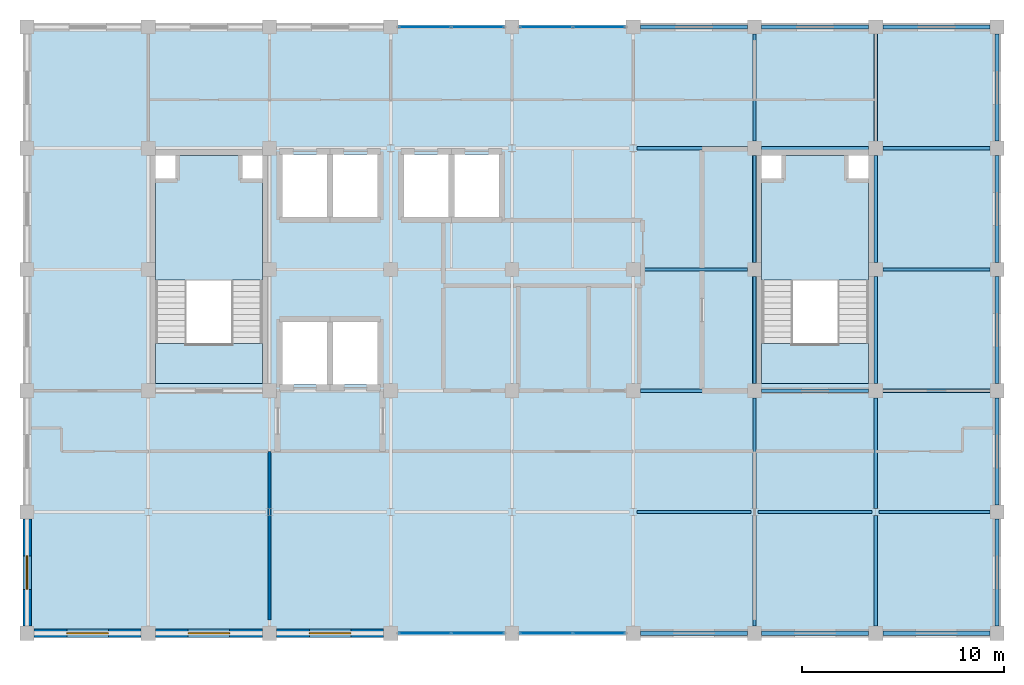
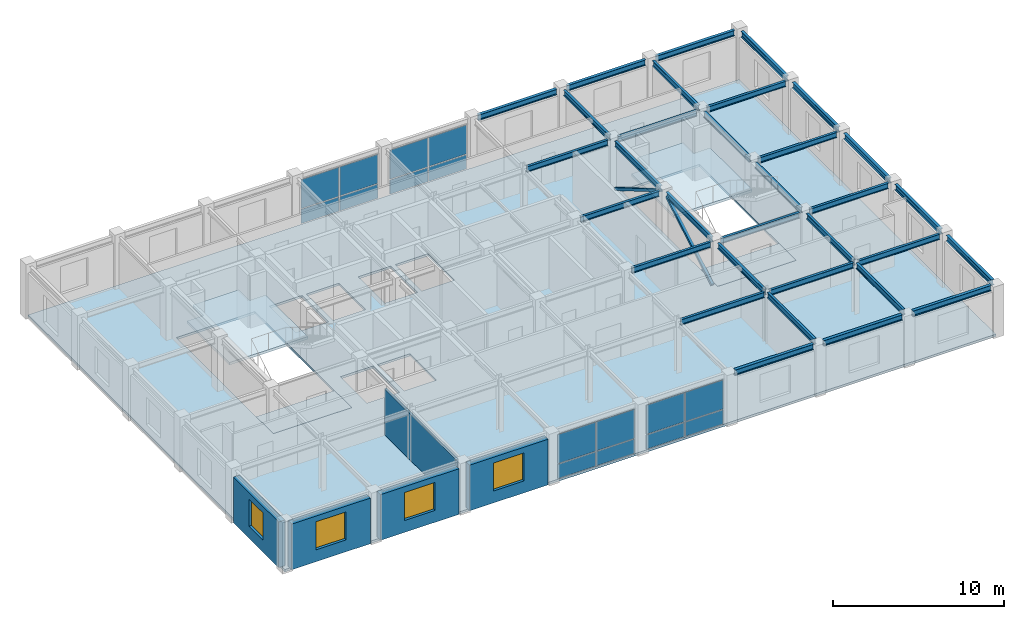
# One storey, part 8 of 13: 32 beams, 16 plates, 5 slabs, 5 walls, 4 windows, 2 members, 4 openings, 6 elements without a shape of their own.
"""IFC4 building model written with IfcOpenShell, lengths in metres."""

from ifc_helpers import new_model, si_unit, direction, frame, frame_2d, origin, origin_2d, place, context, subcontext, project, spatial, polyline, rectangle, hollow_rectangle, i_section, outline, extrude, material, layer, layer_set, material_profile, profile_set, type_object, element, fill, aggregate, save


model = new_model("IFC4")

# Units and contexts
model_context = context("Model", 3, precision=1e-05, world=origin(), true_north=direction((0.0, 1.0)))
body_context = subcontext(model_context, "Body", "Model", "MODEL_VIEW")
ifc_project = project(units=[si_unit("LENGTHUNIT", "METRE"), si_unit("AREAUNIT", "SQUARE_METRE"), si_unit("VOLUMEUNIT", "CUBIC_METRE"), si_unit("PLANEANGLEUNIT", "RADIAN"), si_unit("MASSUNIT", "GRAM", prefix="KILO")], contexts=[model_context])

# Site, building, storey
site_placement = place(None, origin())
site = spatial("IfcSite", under=ifc_project, at=site_placement, CompositionType="ELEMENT")
building_placement = place(site_placement, origin())
building = spatial("IfcBuilding", under=site, at=building_placement, Name="Zlatovratsky Civic Hall", CompositionType="ELEMENT")
storey_placement = place(building_placement, frame((0.0, 0.0, 48.300048828125)))
storey = spatial("IfcBuildingStorey", under=building, at=storey_placement, Name="L12", CompositionType="ELEMENT", Elevation=48.300048828125)

# Beams
ifc_material_1 = material(Name="Steel S355", Category="steel")
ifc_material_profile_1 = material_profile(ifc_material_1, i_section(OverallWidth=0.199951171875, OverallDepth=0.39990234375, WebThickness=0.008056640625, FlangeThickness=0.012939453125, FilletRadius=0.014892578125, at=origin_2d()), Name="40B2")
ifc_profile_set_1 = profile_set([ifc_material_profile_1], Name="Steel S355")
beam_type_1 = type_object("IfcBeamType", Name="Beam_Spandrel_40B2", PredefinedType="SPANDREL", material=ifc_profile_set_1)
for number, where, z_axis, x_axis, name in (
    (1, (90.35009765625, 72.0, 3.47998046875), (1.0, 0.0, 0.0), (0.0, 1.0, 0.0), "BM-4801"),
    (2, (96.35009765625, 72.0, 3.47998046875), (1.0, 0.0, 0.0), (0.0, 1.0, 0.0), "BM-4802"),
    (3, (102.35009765625, 72.0, 3.47998046875), (1.0, 0.0, 0.0), (0.0, 1.0, 0.0), "BM-4803"),
    (4, (90.35009765625, 102.0, 3.47998046875), (1.0, 0.0, 0.0), (0.0, 1.0, 0.0), "BM-4839"),
    (5, (96.35009765625, 102.0, 3.47998046875), (1.0, 0.0, 0.0), (0.0, 1.0, 0.0), "BM-4840"),
    (6, (102.35009765625, 102.0, 3.47998046875), (1.0, 0.0, 0.0), (0.0, 1.0, 0.0), "BM-4841"),
    (7, (108.0, 72.35009765625, 3.47998046875), (0.0, 1.0, 0.0), (-1.0, 0.0, 0.0), "BM-4882"),
    (8, (108.0, 78.35009765625, 3.47998046875), (0.0, 1.0, 0.0), (-1.0, 0.0, 0.0), "BM-4883"),
    (9, (108.0, 84.35009765625, 3.47998046875), (0.0, 1.0, 0.0), (-1.0, 0.0, 0.0), "BM-4884"),
    (10, (108.0, 90.35009765625, 3.47998046875), (0.0, 1.0, 0.0), (-1.0, 0.0, 0.0), "BM-4885"),
    (11, (108.0, 96.35009765625, 3.47998046875), (0.0, 1.0, 0.0), (-1.0, 0.0, 0.0), "BM-4886"),
):
    element("IfcBeam", number, at=place(storey_placement, frame(where, z_axis=z_axis, x_axis=x_axis)), inside=storey, type_object=beam_type_1, Name=name, PredefinedType="SPANDREL", context=body_context, shape_type="SweptSolid", body=[
        extrude(i_section(OverallWidth=0.199951171875, OverallDepth=0.39990234375, WebThickness=0.008056640625, FlangeThickness=0.012939453125, FilletRadius=0.014892578125, at=origin_2d()), origin(), (0.0, 0.0, 1.0), 5.2998046875),
    ])
ifc_material_profile_2 = material_profile(ifc_material_1, i_section(OverallWidth=0.1650390625, OverallDepth=0.39208984375, WebThickness=0.006591796875, FlangeThickness=0.009521484375, FilletRadius=0.014892578125, at=origin_2d()), Name="40B1")
ifc_profile_set_2 = profile_set([ifc_material_profile_2], Name="Steel S355")
beam_type_2 = type_object("IfcBeamType", Name="Beam_Tie_40B1", PredefinedType="BEAM", material=ifc_profile_set_2)
for number, where, z_axis, x_axis, name in (
    (12, (90.175048828125, 78.0, 3.48388671875), (1.0, 0.0, 0.0), (0.0, 1.0, 0.0), "BM-4809"),
    (13, (96.175048828125, 78.0, 3.48388671875), (1.0, 0.0, 0.0), (0.0, 1.0, 0.0), "BM-4810"),
):
    element("IfcBeam", number, at=place(storey_placement, frame(where, z_axis=z_axis, x_axis=x_axis)), inside=storey, type_object=beam_type_2, Name=name, PredefinedType="BEAM", context=body_context, shape_type="SweptSolid", body=[
        extrude(i_section(OverallWidth=0.1650390625, OverallDepth=0.39208984375, WebThickness=0.006591796875, FlangeThickness=0.009521484375, FilletRadius=0.014892578125, at=origin_2d()), origin(), (0.0, 0.0, 1.0), 5.64990234375),
    ])
beam_1_placement = place(storey_placement, frame((102.175048828125, 78.0, 3.48388671875), z_axis=(1.0, 0.0, 0.0), x_axis=(0.0, 1.0, 0.0)))
element("IfcBeam", 14, at=beam_1_placement, inside=storey, type_object=beam_type_2, Name="BM-4811", PredefinedType="BEAM", context=body_context, shape_type="SweptSolid", body=[
    extrude(i_section(OverallWidth=0.1650390625, OverallDepth=0.39208984375, WebThickness=0.006591796875, FlangeThickness=0.009521484375, FilletRadius=0.014892578125, at=origin_2d()), origin(), (0.0, 0.0, 1.0), 5.474853515625),
])
for number, where, z_axis, x_axis, name in (
    (15, (90.35009765625, 84.0, 3.48388671875), (1.0, 0.0, 0.0), (0.0, 1.0, 0.0), "BM-4817"),
    (16, (96.35009765625, 84.0, 3.48388671875), (1.0, 0.0, 0.0), (0.0, 1.0, 0.0), "BM-4818"),
    (17, (102.35009765625, 84.0, 3.48388671875), (1.0, 0.0, 0.0), (0.0, 1.0, 0.0), "BM-4819"),
    (18, (90.35009765625, 90.0, 3.48388671875), (1.0, 0.0, 0.0), (0.0, 1.0, 0.0), "BM-4824"),
    (19, (102.35009765625, 90.0, 3.48388671875), (1.0, 0.0, 0.0), (0.0, 1.0, 0.0), "BM-4825"),
):
    element("IfcBeam", number, at=place(storey_placement, frame(where, z_axis=z_axis, x_axis=x_axis)), inside=storey, type_object=beam_type_2, Name=name, PredefinedType="BEAM", context=body_context, shape_type="SweptSolid", body=[
        extrude(i_section(OverallWidth=0.1650390625, OverallDepth=0.39208984375, WebThickness=0.006591796875, FlangeThickness=0.009521484375, FilletRadius=0.014892578125, at=origin_2d()), origin(), (0.0, 0.0, 1.0), 5.2998046875),
    ])
beam_2_placement = place(storey_placement, frame((90.175048828125, 96.0, 3.48388671875), z_axis=(1.0, 0.0, 0.0), x_axis=(0.0, 1.0, 0.0)))
element("IfcBeam", 20, at=beam_2_placement, inside=storey, type_object=beam_type_2, Name="BM-4831", PredefinedType="BEAM", context=body_context, shape_type="SweptSolid", body=[
    extrude(i_section(OverallWidth=0.1650390625, OverallDepth=0.39208984375, WebThickness=0.006591796875, FlangeThickness=0.009521484375, FilletRadius=0.014892578125, at=origin_2d()), origin(), (0.0, 0.0, 1.0), 5.474853515625),
])
for number, where, z_axis, x_axis, name in (
    (21, (96.35009765625, 96.0, 3.48388671875), (1.0, 0.0, 0.0), (0.0, 1.0, 0.0), "BM-4832"),
    (22, (102.35009765625, 96.0, 3.48388671875), (1.0, 0.0, 0.0), (0.0, 1.0, 0.0), "BM-4833"),
):
    element("IfcBeam", number, at=place(storey_placement, frame(where, z_axis=z_axis, x_axis=x_axis)), inside=storey, type_object=beam_type_2, Name=name, PredefinedType="BEAM", context=body_context, shape_type="SweptSolid", body=[
        extrude(i_section(OverallWidth=0.1650390625, OverallDepth=0.39208984375, WebThickness=0.006591796875, FlangeThickness=0.009521484375, FilletRadius=0.014892578125, at=origin_2d()), origin(), (0.0, 0.0, 1.0), 5.2998046875),
    ])
for number, where, z_axis, x_axis, name in (
    (23, (96.0, 72.35009765625, 3.48388671875), (0.0, 1.0, 0.0), (-1.0, 0.0, 0.0), "BM-4872"),
    (24, (96.0, 78.17138671875, 3.48388671875), (0.0, 1.0, 0.0), (-1.0, 0.0, 0.0), "BM-4873"),
):
    element("IfcBeam", number, at=place(storey_placement, frame(where, z_axis=z_axis, x_axis=x_axis)), inside=storey, type_object=beam_type_2, Name=name, PredefinedType="BEAM", context=body_context, shape_type="SweptSolid", body=[
        extrude(i_section(OverallWidth=0.1650390625, OverallDepth=0.39208984375, WebThickness=0.006591796875, FlangeThickness=0.009521484375, FilletRadius=0.014892578125, at=origin_2d()), origin(), (0.0, 0.0, 1.0), 5.478515625),
    ])
for number, where, z_axis, x_axis, name in (
    (25, (96.0, 84.35009765625, 3.48388671875), (0.0, 1.0, 0.0), (-1.0, 0.0, 0.0), "BM-4874"),
    (26, (96.0, 90.35009765625, 3.48388671875), (0.0, 1.0, 0.0), (-1.0, 0.0, 0.0), "BM-4875"),
    (27, (96.0, 96.35009765625, 3.48388671875), (0.0, 1.0, 0.0), (-1.0, 0.0, 0.0), "BM-4876"),
):
    element("IfcBeam", number, at=place(storey_placement, frame(where, z_axis=z_axis, x_axis=x_axis)), inside=storey, type_object=beam_type_2, Name=name, PredefinedType="BEAM", context=body_context, shape_type="SweptSolid", body=[
        extrude(i_section(OverallWidth=0.1650390625, OverallDepth=0.39208984375, WebThickness=0.006591796875, FlangeThickness=0.009521484375, FilletRadius=0.014892578125, at=origin_2d()), origin(), (0.0, 0.0, 1.0), 5.2998046875),
    ])
for number, where, z_axis, x_axis, name in (
    (28, (102.0, 72.35009765625, 3.48388671875), (0.0, 1.0, 0.0), (-1.0, 0.0, 0.0), "BM-4877"),
    (29, (102.0, 78.17138671875, 3.48388671875), (0.0, 1.0, 0.0), (-1.0, 0.0, 0.0), "BM-4878"),
):
    element("IfcBeam", number, at=place(storey_placement, frame(where, z_axis=z_axis, x_axis=x_axis)), inside=storey, type_object=beam_type_2, Name=name, PredefinedType="BEAM", context=body_context, shape_type="SweptSolid", body=[
        extrude(i_section(OverallWidth=0.1650390625, OverallDepth=0.39208984375, WebThickness=0.006591796875, FlangeThickness=0.009521484375, FilletRadius=0.014892578125, at=origin_2d()), origin(), (0.0, 0.0, 1.0), 5.478515625),
    ])
for number, where, z_axis, x_axis, name in (
    (30, (102.0, 84.35009765625, 3.48388671875), (0.0, 1.0, 0.0), (-1.0, 0.0, 0.0), "BM-4879"),
    (31, (102.0, 90.35009765625, 3.48388671875), (0.0, 1.0, 0.0), (-1.0, 0.0, 0.0), "BM-4880"),
    (32, (102.0, 96.35009765625, 3.48388671875), (0.0, 1.0, 0.0), (-1.0, 0.0, 0.0), "BM-4881"),
):
    element("IfcBeam", number, at=place(storey_placement, frame(where, z_axis=z_axis, x_axis=x_axis)), inside=storey, type_object=beam_type_2, Name=name, PredefinedType="BEAM", context=body_context, shape_type="SweptSolid", body=[
        extrude(i_section(OverallWidth=0.1650390625, OverallDepth=0.39208984375, WebThickness=0.006591796875, FlangeThickness=0.009521484375, FilletRadius=0.014892578125, at=origin_2d()), origin(), (0.0, 0.0, 1.0), 5.2998046875),
    ])

# Members
ifc_material_profile_3 = material_profile(ifc_material_1, hollow_rectangle(XDim=0.179931640625, YDim=0.179931640625, WallThickness=0.008056640625, at=origin_2d()), Name="SHS 180x180x8")
ifc_profile_set_3 = profile_set([ifc_material_profile_3], Name="Steel S355")
member_type = type_object("IfcMemberType", Name="Brace_TowerMid_SHS180", PredefinedType="BRACE", material=ifc_profile_set_3)
for number, where, z_axis, x_axis, name in (
    (33, (96.0, 84.35009765625, 0.25), (0.0, 0.863189891905, 0.504879401949), (-1.0, 0.0, 0.0), "MB-0154"),
    (34, (96.0, 90.35009765625, 3.349853515625), (0.0, 0.863189891905, -0.504879401949), (-1.0, 0.0, 0.0), "MB-0155"),
):
    element("IfcMember", number, at=place(storey_placement, frame(where, z_axis=z_axis, x_axis=x_axis)), inside=storey, type_object=member_type, Name=name, PredefinedType="BRACE", context=body_context, shape_type="SweptSolid", body=[
        extrude(hollow_rectangle(XDim=0.179931640625, YDim=0.179931640625, WallThickness=0.008056640625, at=origin_2d()), origin(), (0.0, 0.0, 1.0), 6.139892578125),
    ])

# Curtain wall, plates
ifc_material_2 = material(Name="Anodised bronze aluminium", Category="aluminium")
ifc_layer_1 = layer(ifc_material_2, 0.159912109375)
ifc_layer_set_1 = layer_set([ifc_layer_1], Name="Anodised bronze aluminium")
curtain_wall_type = type_object("IfcCurtainWallType", Name="CurtainWall_Bronze_5300x3260_23", PredefinedType="NOTDEFINED", material=ifc_layer_set_1)
curtain_wall_1_placement = place(storey_placement, origin())
curtain_wall_1 = element("IfcCurtainWall", 35, at=curtain_wall_1_placement, inside=storey, type_object=curtain_wall_type, Name="CW-157", PredefinedType="NOTDEFINED")
ifc_material_3 = material(Name="Solar-control triple glazing", Category="glass")
ifc_layer_2 = layer(ifc_material_3, 0.028076171875)
ifc_layer_set_2 = layer_set([ifc_layer_2], Name="Solar-control triple glazing")
plate_type = type_object("IfcPlateType", Name="Panel_TowerTripleGlazing_28", PredefinedType="CURTAIN_PANEL", material=ifc_layer_set_2)
plate_1_placement = place(storey_placement, frame((79.68994140625, 72.0, 0.06005859375), z_axis=(0.0, 0.0, 1.0), x_axis=(1.0, 0.0, 0.0)))
plate_1 = element("IfcPlate", 36, at=plate_1_placement, type_object=plate_type, Name="CW-23 panel 1.1", PredefinedType="CURTAIN_PANEL", context=body_context, shape_type="SweptSolid", body=[
    extrude(rectangle(XDim=2.56005859375, YDim=0.028076171875, at=origin_2d()), origin(), (0.0, 0.0, 1.0), 1.010009765625),
])
plate_2_placement = place(storey_placement, frame((79.68994140625, 72.0, 1.1298828125), z_axis=(0.0, 0.0, 1.0), x_axis=(1.0, 0.0, 0.0)))
plate_2 = element("IfcPlate", 37, at=plate_2_placement, type_object=plate_type, Name="CW-23 panel 1.2", PredefinedType="CURTAIN_PANEL", context=body_context, shape_type="SweptSolid", body=[
    extrude(rectangle(XDim=2.56005859375, YDim=0.028076171875, at=origin_2d()), origin(), (0.0, 0.0, 1.0), 2.070068359375),
])
plate_3_placement = place(storey_placement, frame((82.31005859375, 72.0, 0.06005859375), z_axis=(0.0, 0.0, 1.0), x_axis=(1.0, 0.0, 0.0)))
plate_3 = element("IfcPlate", 38, at=plate_3_placement, type_object=plate_type, Name="CW-23 panel 2.1", PredefinedType="CURTAIN_PANEL", context=body_context, shape_type="SweptSolid", body=[
    extrude(rectangle(XDim=2.56005859375, YDim=0.028076171875, at=origin_2d()), origin(), (0.0, 0.0, 1.0), 1.010009765625),
])
plate_4_placement = place(storey_placement, frame((82.31005859375, 72.0, 1.1298828125), z_axis=(0.0, 0.0, 1.0), x_axis=(1.0, 0.0, 0.0)))
plate_4 = element("IfcPlate", 39, at=plate_4_placement, type_object=plate_type, Name="CW-23 panel 2.2", PredefinedType="CURTAIN_PANEL", context=body_context, shape_type="SweptSolid", body=[
    extrude(rectangle(XDim=2.56005859375, YDim=0.028076171875, at=origin_2d()), origin(), (0.0, 0.0, 1.0), 2.070068359375),
])
aggregate(curtain_wall_1, [plate_1, plate_2, plate_3, plate_4])

curtain_wall_2_placement = place(storey_placement, origin())
curtain_wall_2 = element("IfcCurtainWall", 40, at=curtain_wall_2_placement, inside=storey, type_object=curtain_wall_type, Name="CW-158", PredefinedType="NOTDEFINED")
plate_5_placement = place(storey_placement, frame((85.68994140625, 72.0, 0.06005859375), z_axis=(0.0, 0.0, 1.0), x_axis=(1.0, 0.0, 0.0)))
plate_5 = element("IfcPlate", 41, at=plate_5_placement, type_object=plate_type, Name="CW-23 panel 1.1", PredefinedType="CURTAIN_PANEL", context=body_context, shape_type="SweptSolid", body=[
    extrude(rectangle(XDim=2.56005859375, YDim=0.028076171875, at=origin_2d()), origin(), (0.0, 0.0, 1.0), 1.010009765625),
])
plate_6_placement = place(storey_placement, frame((85.68994140625, 72.0, 1.1298828125), z_axis=(0.0, 0.0, 1.0), x_axis=(1.0, 0.0, 0.0)))
plate_6 = element("IfcPlate", 42, at=plate_6_placement, type_object=plate_type, Name="CW-23 panel 1.2", PredefinedType="CURTAIN_PANEL", context=body_context, shape_type="SweptSolid", body=[
    extrude(rectangle(XDim=2.56005859375, YDim=0.028076171875, at=origin_2d()), origin(), (0.0, 0.0, 1.0), 2.070068359375),
])
plate_7_placement = place(storey_placement, frame((88.31005859375, 72.0, 0.06005859375), z_axis=(0.0, 0.0, 1.0), x_axis=(1.0, 0.0, 0.0)))
plate_7 = element("IfcPlate", 43, at=plate_7_placement, type_object=plate_type, Name="CW-23 panel 2.1", PredefinedType="CURTAIN_PANEL", context=body_context, shape_type="SweptSolid", body=[
    extrude(rectangle(XDim=2.56005859375, YDim=0.028076171875, at=origin_2d()), origin(), (0.0, 0.0, 1.0), 1.010009765625),
])
plate_8_placement = place(storey_placement, frame((88.31005859375, 72.0, 1.1298828125), z_axis=(0.0, 0.0, 1.0), x_axis=(1.0, 0.0, 0.0)))
plate_8 = element("IfcPlate", 44, at=plate_8_placement, type_object=plate_type, Name="CW-23 panel 2.2", PredefinedType="CURTAIN_PANEL", context=body_context, shape_type="SweptSolid", body=[
    extrude(rectangle(XDim=2.56005859375, YDim=0.028076171875, at=origin_2d()), origin(), (0.0, 0.0, 1.0), 2.070068359375),
])
aggregate(curtain_wall_2, [plate_5, plate_6, plate_7, plate_8])

curtain_wall_3_placement = place(storey_placement, origin())
curtain_wall_3 = element("IfcCurtainWall", 45, at=curtain_wall_3_placement, inside=storey, type_object=curtain_wall_type, Name="CW-159", PredefinedType="NOTDEFINED")
plate_9_placement = place(storey_placement, frame((79.68994140625, 102.0, 0.06005859375), z_axis=(0.0, 0.0, 1.0), x_axis=(1.0, 0.0, 0.0)))
plate_9 = element("IfcPlate", 46, at=plate_9_placement, type_object=plate_type, Name="CW-23 panel 1.1", PredefinedType="CURTAIN_PANEL", context=body_context, shape_type="SweptSolid", body=[
    extrude(rectangle(XDim=2.56005859375, YDim=0.028076171875, at=origin_2d()), origin(), (0.0, 0.0, 1.0), 1.010009765625),
])
plate_10_placement = place(storey_placement, frame((79.68994140625, 102.0, 1.1298828125), z_axis=(0.0, 0.0, 1.0), x_axis=(1.0, 0.0, 0.0)))
plate_10 = element("IfcPlate", 47, at=plate_10_placement, type_object=plate_type, Name="CW-23 panel 1.2", PredefinedType="CURTAIN_PANEL", context=body_context, shape_type="SweptSolid", body=[
    extrude(rectangle(XDim=2.56005859375, YDim=0.028076171875, at=origin_2d()), origin(), (0.0, 0.0, 1.0), 2.070068359375),
])
plate_11_placement = place(storey_placement, frame((82.31005859375, 102.0, 0.06005859375), z_axis=(0.0, 0.0, 1.0), x_axis=(1.0, 0.0, 0.0)))
plate_11 = element("IfcPlate", 48, at=plate_11_placement, type_object=plate_type, Name="CW-23 panel 2.1", PredefinedType="CURTAIN_PANEL", context=body_context, shape_type="SweptSolid", body=[
    extrude(rectangle(XDim=2.56005859375, YDim=0.028076171875, at=origin_2d()), origin(), (0.0, 0.0, 1.0), 1.010009765625),
])
plate_12_placement = place(storey_placement, frame((82.31005859375, 102.0, 1.1298828125), z_axis=(0.0, 0.0, 1.0), x_axis=(1.0, 0.0, 0.0)))
plate_12 = element("IfcPlate", 49, at=plate_12_placement, type_object=plate_type, Name="CW-23 panel 2.2", PredefinedType="CURTAIN_PANEL", context=body_context, shape_type="SweptSolid", body=[
    extrude(rectangle(XDim=2.56005859375, YDim=0.028076171875, at=origin_2d()), origin(), (0.0, 0.0, 1.0), 2.070068359375),
])
aggregate(curtain_wall_3, [plate_9, plate_10, plate_11, plate_12])

curtain_wall_4_placement = place(storey_placement, origin())
curtain_wall_4 = element("IfcCurtainWall", 50, at=curtain_wall_4_placement, inside=storey, type_object=curtain_wall_type, Name="CW-160", PredefinedType="NOTDEFINED")
plate_13_placement = place(storey_placement, frame((85.68994140625, 102.0, 0.06005859375), z_axis=(0.0, 0.0, 1.0), x_axis=(1.0, 0.0, 0.0)))
plate_13 = element("IfcPlate", 51, at=plate_13_placement, type_object=plate_type, Name="CW-23 panel 1.1", PredefinedType="CURTAIN_PANEL", context=body_context, shape_type="SweptSolid", body=[
    extrude(rectangle(XDim=2.56005859375, YDim=0.028076171875, at=origin_2d()), origin(), (0.0, 0.0, 1.0), 1.010009765625),
])
plate_14_placement = place(storey_placement, frame((85.68994140625, 102.0, 1.1298828125), z_axis=(0.0, 0.0, 1.0), x_axis=(1.0, 0.0, 0.0)))
plate_14 = element("IfcPlate", 52, at=plate_14_placement, type_object=plate_type, Name="CW-23 panel 1.2", PredefinedType="CURTAIN_PANEL", context=body_context, shape_type="SweptSolid", body=[
    extrude(rectangle(XDim=2.56005859375, YDim=0.028076171875, at=origin_2d()), origin(), (0.0, 0.0, 1.0), 2.070068359375),
])
plate_15_placement = place(storey_placement, frame((88.31005859375, 102.0, 0.06005859375), z_axis=(0.0, 0.0, 1.0), x_axis=(1.0, 0.0, 0.0)))
plate_15 = element("IfcPlate", 53, at=plate_15_placement, type_object=plate_type, Name="CW-23 panel 2.1", PredefinedType="CURTAIN_PANEL", context=body_context, shape_type="SweptSolid", body=[
    extrude(rectangle(XDim=2.56005859375, YDim=0.028076171875, at=origin_2d()), origin(), (0.0, 0.0, 1.0), 1.010009765625),
])
plate_16_placement = place(storey_placement, frame((88.31005859375, 102.0, 1.1298828125), z_axis=(0.0, 0.0, 1.0), x_axis=(1.0, 0.0, 0.0)))
plate_16 = element("IfcPlate", 54, at=plate_16_placement, type_object=plate_type, Name="CW-23 panel 2.2", PredefinedType="CURTAIN_PANEL", context=body_context, shape_type="SweptSolid", body=[
    extrude(rectangle(XDim=2.56005859375, YDim=0.028076171875, at=origin_2d()), origin(), (0.0, 0.0, 1.0), 2.070068359375),
])
aggregate(curtain_wall_4, [plate_13, plate_14, plate_15, plate_16])

# Slabs
ifc_material_4 = material(Name="Concrete C30/37 (B35)", Category="concrete")
ifc_layer_3 = layer(ifc_material_4, 0.239990234375)
ifc_layer_set_3 = layer_set([ifc_layer_3], Name="Concrete C30/37 (B35)")
slab_type_1 = type_object("IfcSlabType", Name="Slab_CivicPodiumFloor_240", PredefinedType="FLOOR", material=ifc_layer_set_3)
slab_1_placement = place(storey_placement, frame((0.0, 0.0, -0.239990234375)))
element("IfcSlab", 55, at=slab_1_placement, inside=storey, type_object=slab_type_1, Name="SL-071", PredefinedType="FLOOR", context=body_context, shape_type="SweptSolid", body=[
    extrude(outline(polyline([(66.35009765625, 84.35009765625), (71.64990234375, 84.35009765625), (71.64990234375, 86.35009765625), (66.35009765625, 86.35009765625), (66.35009765625, 84.35009765625)])), origin(), (0.0, 0.0, 1.0), 0.239990234375),
])
slab_2_placement = place(storey_placement, frame((0.0, 0.0, -0.239990234375)))
element("IfcSlab", 56, at=slab_2_placement, inside=storey, type_object=slab_type_1, Name="SL-072", PredefinedType="FLOOR", context=body_context, shape_type="SweptSolid", body=[
    extrude(outline(polyline([(96.35009765625, 84.35009765625), (101.64990234375, 84.35009765625), (101.64990234375, 86.35009765625), (96.35009765625, 86.35009765625), (96.35009765625, 84.35009765625)])), origin(), (0.0, 0.0, 1.0), 0.239990234375),
])

# Stair, slab
stair_type = type_object("IfcStairType", Name="Stair_HALF_24R_1550W_04", PredefinedType="HALF_TURN_STAIR", material=ifc_material_4)
stair_1_placement = place(storey_placement, origin())
stair_1 = element("IfcStair", 57, at=stair_1_placement, inside=storey, type_object=stair_type, Name="ST-013", PredefinedType="HALF_TURN_STAIR")
ifc_layer_4 = layer(ifc_material_4, 0.179931640625)
ifc_layer_set_4 = layer_set([ifc_layer_4], Name="Concrete C30/37 (B35)")
slab_type_2 = type_object("IfcSlabType", Name="Slab_StairLanding_180", PredefinedType="LANDING", material=ifc_layer_set_4)
slab_3_placement = place(storey_placement, frame((0.0, 0.0, 1.77001953125)))
slab_3 = element("IfcSlab", 58, at=slab_3_placement, type_object=slab_type_2, Name="SL-LD-13", PredefinedType="LANDING", context=body_context, shape_type="SweptSolid", body=[
    extrude(outline(polyline([(66.35009765625, 89.485107421875), (71.64990234375, 89.485107421875), (71.64990234375, 94.39990234375), (70.550048828125, 94.39990234375), (70.550048828125, 95.64990234375), (67.449951171875, 95.64990234375), (67.449951171875, 94.39990234375), (66.35009765625, 94.39990234375), (66.35009765625, 89.485107421875)])), origin(), (0.0, 0.0, 1.0), 0.179931640625),
])
aggregate(stair_1, [slab_3])

stair_2_placement = place(storey_placement, origin())
stair_2 = element("IfcStair", 59, at=stair_2_placement, inside=storey, type_object=stair_type, Name="ST-032", PredefinedType="HALF_TURN_STAIR")
slab_4_placement = place(storey_placement, frame((0.0, 0.0, 1.77001953125)))
slab_4 = element("IfcSlab", 60, at=slab_4_placement, type_object=slab_type_2, Name="SL-LD-32", PredefinedType="LANDING", context=body_context, shape_type="SweptSolid", body=[
    extrude(outline(polyline([(96.35009765625, 89.485107421875), (101.64990234375, 89.485107421875), (101.64990234375, 94.39990234375), (100.550048828125, 94.39990234375), (100.550048828125, 95.64990234375), (97.449951171875, 95.64990234375), (97.449951171875, 94.39990234375), (96.35009765625, 94.39990234375), (96.35009765625, 89.485107421875)])), origin(), (0.0, 0.0, 1.0), 0.179931640625),
])
aggregate(stair_2, [slab_4])

# Slab
ifc_layer_5 = layer(ifc_material_4, 0.159912109375)
ifc_layer_set_5 = layer_set([ifc_layer_5], Name="Concrete C30/37 (B35)")
slab_type_3 = type_object("IfcSlabType", Name="Slab_TowerCompositeFloor_160", PredefinedType="FLOOR", material=ifc_layer_set_5)
slab_5_placement = place(storey_placement, frame((0.0, 0.0, -0.16015625)))
element("IfcSlab", 61, at=slab_5_placement, inside=storey, type_object=slab_type_3, Name="SL-070", PredefinedType="FLOOR", context=body_context, shape_type="SweptSolid", body=[
    extrude(outline(polyline([(60.0, 72.0), (108.0, 72.0), (108.0, 102.0), (60.0, 102.0), (60.0, 72.0)]), holes=[polyline([(66.35009765625, 84.35009765625), (71.64990234375, 84.35009765625), (71.64990234375, 95.64990234375), (66.35009765625, 95.64990234375), (66.35009765625, 84.35009765625)]), polyline([(96.35009765625, 84.35009765625), (101.64990234375, 84.35009765625), (101.64990234375, 95.64990234375), (96.35009765625, 95.64990234375), (96.35009765625, 84.35009765625)]), polyline([(72.64990234375, 84.300048828125), (74.85009765625, 84.300048828125), (74.85009765625, 87.39990234375), (72.64990234375, 87.39990234375), (72.64990234375, 84.300048828125)]), polyline([(75.14990234375, 84.300048828125), (77.35009765625, 84.300048828125), (77.35009765625, 87.39990234375), (75.14990234375, 87.39990234375), (75.14990234375, 84.300048828125)]), polyline([(72.64990234375, 92.60009765625), (74.85009765625, 92.60009765625), (74.85009765625, 95.699951171875), (72.64990234375, 95.699951171875), (72.64990234375, 92.60009765625)]), polyline([(75.14990234375, 92.60009765625), (77.35009765625, 92.60009765625), (77.35009765625, 95.699951171875), (75.14990234375, 95.699951171875), (75.14990234375, 92.60009765625)]), polyline([(78.64990234375, 92.60009765625), (80.85009765625, 92.60009765625), (80.85009765625, 95.699951171875), (78.64990234375, 95.699951171875), (78.64990234375, 92.60009765625)]), polyline([(81.14990234375, 92.60009765625), (83.35009765625, 92.60009765625), (83.35009765625, 95.699951171875), (81.14990234375, 95.699951171875), (81.14990234375, 92.60009765625)])]), origin(), (0.0, 0.0, 1.0), 0.16015625),
])

# Wall
ifc_material_5 = material(Name="Fire-rated gypsum board framing", Category="gypsum")
ifc_layer_6 = layer(ifc_material_5, 0.139892578125)
ifc_layer_set_6 = layer_set([ifc_layer_6], Name="Fire-rated gypsum board framing")
wall_type_1 = type_object("IfcWallType", Name="Wall_OfficePartition_140", PredefinedType="PARTITIONING", material=ifc_layer_set_6)
wall_1_placement = place(storey_placement, frame((72.0, 72.64990234375, 0.0), z_axis=(0.0, 0.0, 1.0), x_axis=(0.0, 1.0, 0.0)))
element("IfcWall", 62, at=wall_1_placement, inside=storey, type_object=wall_type_1, Name="WL-6587", PredefinedType="PARTITIONING", context=body_context, shape_type="SweptSolid", body=[
    extrude(rectangle(XDim=8.35009765625, YDim=0.139892578125, at=frame_2d((4.175048828125, 0.0))), origin(), (0.0, 0.0, 1.0), 3.287841796875),
])

# Wall, opening, window
ifc_material_6 = material(Name="Acoustic ceramic blockwork", Category="masonry")
ifc_layer_7 = layer(ifc_material_6, 0.280029296875, Name="Backing")
ifc_material_7 = material(Name="Podolsk limestone ashlar", Category="masonry")
ifc_layer_8 = layer(ifc_material_7, 0.139892578125, Name="Finish")
ifc_layer_set_7 = layer_set([ifc_layer_7, ifc_layer_8], Name="Acoustic ceramic blockwork")
wall_type_2 = type_object("IfcWallType", Name="Wall_TowerLimestoneAshlar_420", PredefinedType="SOLIDWALL", material=ifc_layer_set_7)
wall_2_placement = place(storey_placement, frame((60.35009765625, 72.0, 0.0), z_axis=(0.0, 0.0, 1.0), x_axis=(1.0, 0.0, 0.0)))
wall_2 = element("IfcWall", 63, at=wall_2_placement, inside=storey, type_object=wall_type_2, Name="WL-0567", PredefinedType="SOLIDWALL", context=body_context, shape_type="SweptSolid", body=[
    extrude(rectangle(XDim=5.2998046875, YDim=0.419921875, at=frame_2d((2.64990234375, 0.0))), origin(), (0.0, 0.0, 1.0), 3.260009765625),
])
opening_1_placement = place(wall_2_placement, frame((1.625, 0.0, 0.85009765625)))
opening_1 = element("IfcOpeningElement", 64, at=opening_1_placement, cuts=wall_2, Name="Opening WN-17", PredefinedType="OPENING", context=body_context, shape_type="SweptSolid", body=[
    extrude(rectangle(XDim=2.050048828125, YDim=2.0, at=frame_2d((1.02490234375, 1.0))), frame((0.0, 0.224853515625, 0.0), z_axis=(0.0, -1.0, 0.0), x_axis=(1.0, 0.0, 0.0)), (0.0, 0.0, 1.0), 0.44970703125),
])
ifc_material_8 = material(Name="Low-E laminated double glazing", Category="glass")
window_type_1 = type_object("IfcWindowType", Name="Window_TowerTier2South_2050x2000", PartitioningType="SINGLE_PANEL", PredefinedType="WINDOW", material=ifc_material_8)
window_1_placement = place(opening_1_placement, origin())
window_1 = element("IfcWindow", 65, at=window_1_placement, inside=storey, type_object=window_type_1, Name="WN-0441", OverallHeight=2.0, OverallWidth=2.050048828125, PartitioningType="SINGLE_PANEL", PredefinedType="WINDOW", context=body_context, shape_type="SweptSolid", body=[
    extrude(rectangle(XDim=2.050048828125, YDim=2.0, at=frame_2d((1.02490234375, 1.0))), frame((0.0, 0.030029296875, 0.0), z_axis=(0.0, -1.0, 0.0), x_axis=(1.0, 0.0, 0.0)), (0.0, 0.0, 1.0), 0.06005859375),
])
fill(opening_1, window_1)

wall_3_placement = place(storey_placement, frame((66.35009765625, 72.0, 0.0), z_axis=(0.0, 0.0, 1.0), x_axis=(1.0, 0.0, 0.0)))
wall_3 = element("IfcWall", 66, at=wall_3_placement, inside=storey, type_object=wall_type_2, Name="WL-0568", PredefinedType="SOLIDWALL", context=body_context, shape_type="SweptSolid", body=[
    extrude(rectangle(XDim=5.2998046875, YDim=0.419921875, at=frame_2d((2.64990234375, 0.0))), origin(), (0.0, 0.0, 1.0), 3.260009765625),
])
opening_2_placement = place(wall_3_placement, frame((1.625, 0.0, 0.85009765625)))
opening_2 = element("IfcOpeningElement", 67, at=opening_2_placement, cuts=wall_3, Name="Opening WN-17", PredefinedType="OPENING", context=body_context, shape_type="SweptSolid", body=[
    extrude(rectangle(XDim=2.050048828125, YDim=2.0, at=frame_2d((1.02490234375, 1.0))), frame((0.0, 0.224853515625, 0.0), z_axis=(0.0, -1.0, 0.0), x_axis=(1.0, 0.0, 0.0)), (0.0, 0.0, 1.0), 0.44970703125),
])
window_2_placement = place(opening_2_placement, origin())
window_2 = element("IfcWindow", 68, at=window_2_placement, inside=storey, type_object=window_type_1, Name="WN-0442", OverallHeight=2.0, OverallWidth=2.050048828125, PartitioningType="SINGLE_PANEL", PredefinedType="WINDOW", context=body_context, shape_type="SweptSolid", body=[
    extrude(rectangle(XDim=2.050048828125, YDim=2.0, at=frame_2d((1.02490234375, 1.0))), frame((0.0, 0.030029296875, 0.0), z_axis=(0.0, -1.0, 0.0), x_axis=(1.0, 0.0, 0.0)), (0.0, 0.0, 1.0), 0.06005859375),
])
fill(opening_2, window_2)

wall_4_placement = place(storey_placement, frame((72.35009765625, 72.0, 0.0), z_axis=(0.0, 0.0, 1.0), x_axis=(1.0, 0.0, 0.0)))
wall_4 = element("IfcWall", 69, at=wall_4_placement, inside=storey, type_object=wall_type_2, Name="WL-0569", PredefinedType="SOLIDWALL", context=body_context, shape_type="SweptSolid", body=[
    extrude(rectangle(XDim=5.2998046875, YDim=0.419921875, at=frame_2d((2.64990234375, 0.0))), origin(), (0.0, 0.0, 1.0), 3.260009765625),
])
opening_3_placement = place(wall_4_placement, frame((1.625, 0.0, 0.85009765625)))
opening_3 = element("IfcOpeningElement", 70, at=opening_3_placement, cuts=wall_4, Name="Opening WN-17", PredefinedType="OPENING", context=body_context, shape_type="SweptSolid", body=[
    extrude(rectangle(XDim=2.050048828125, YDim=2.0, at=frame_2d((1.02490234375, 1.0))), frame((0.0, 0.224853515625, 0.0), z_axis=(0.0, -1.0, 0.0), x_axis=(1.0, 0.0, 0.0)), (0.0, 0.0, 1.0), 0.44970703125),
])
window_3_placement = place(opening_3_placement, origin())
window_3 = element("IfcWindow", 71, at=window_3_placement, inside=storey, type_object=window_type_1, Name="WN-0443", OverallHeight=2.0, OverallWidth=2.050048828125, PartitioningType="SINGLE_PANEL", PredefinedType="WINDOW", context=body_context, shape_type="SweptSolid", body=[
    extrude(rectangle(XDim=2.050048828125, YDim=2.0, at=frame_2d((1.02490234375, 1.0))), frame((0.0, 0.030029296875, 0.0), z_axis=(0.0, -1.0, 0.0), x_axis=(1.0, 0.0, 0.0)), (0.0, 0.0, 1.0), 0.06005859375),
])
fill(opening_3, window_3)

wall_5_placement = place(storey_placement, frame((60.0, 72.35009765625, 0.0), z_axis=(0.0, 0.0, 1.0), x_axis=(0.0, 1.0, 0.0)))
wall_5 = element("IfcWall", 72, at=wall_5_placement, inside=storey, type_object=wall_type_2, Name="WL-0579", PredefinedType="SOLIDWALL", context=body_context, shape_type="SweptSolid", body=[
    extrude(rectangle(XDim=5.2998046875, YDim=0.419921875, at=frame_2d((2.64990234375, 0.0))), origin(), (0.0, 0.0, 1.0), 3.260009765625),
])
opening_4_placement = place(wall_5_placement, frame((1.824951171875, 0.0, 0.85009765625)))
opening_4 = element("IfcOpeningElement", 73, at=opening_4_placement, cuts=wall_5, Name="Opening WN-19", PredefinedType="OPENING", context=body_context, shape_type="SweptSolid", body=[
    extrude(rectangle(XDim=1.64990234375, YDim=1.949951171875, at=frame_2d((0.824951171875, 0.97509765625))), frame((0.0, 0.224853515625, 0.0), z_axis=(0.0, -1.0, 0.0), x_axis=(1.0, 0.0, 0.0)), (0.0, 0.0, 1.0), 0.44970703125),
])
window_type_2 = type_object("IfcWindowType", Name="Window_TowerTier2Flank_1650x1950", PartitioningType="SINGLE_PANEL", PredefinedType="WINDOW", material=ifc_material_8)
window_4_placement = place(opening_4_placement, origin())
window_4 = element("IfcWindow", 74, at=window_4_placement, inside=storey, type_object=window_type_2, Name="WN-0453", OverallHeight=1.949951171875, OverallWidth=1.64990234375, PartitioningType="SINGLE_PANEL", PredefinedType="WINDOW", context=body_context, shape_type="SweptSolid", body=[
    extrude(rectangle(XDim=1.64990234375, YDim=1.949951171875, at=frame_2d((0.824951171875, 0.97509765625))), frame((0.0, 0.030029296875, 0.0), z_axis=(0.0, -1.0, 0.0), x_axis=(1.0, 0.0, 0.0)), (0.0, 0.0, 1.0), 0.06005859375),
])
fill(opening_4, window_4)

save(model, "model.ifc")
